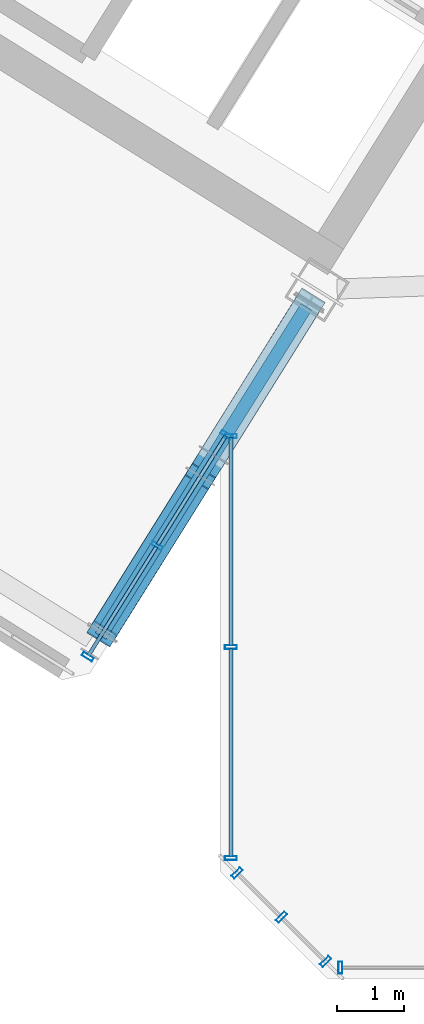
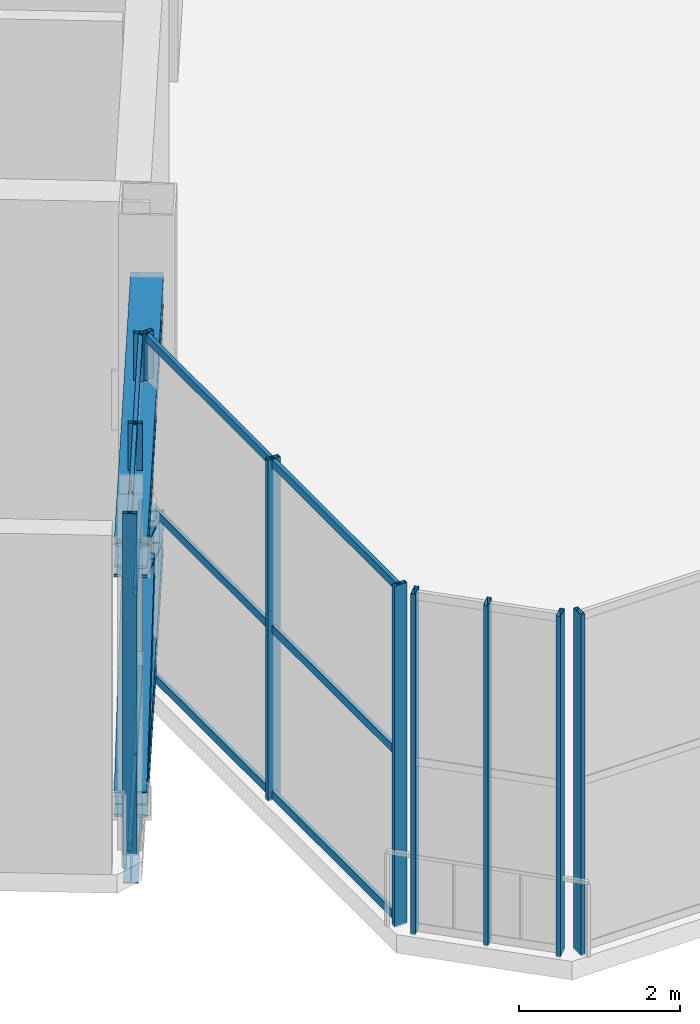
# One storey, part 6 of 32: 26 members, 1 beam, 4 elements without a shape of their own.
"""IFC4 building model written with IfcOpenShell, lengths in metres."""

from ifc_helpers import new_model, si_unit, direction, frame, origin, origin_2d, place, context, subcontext, project, spatial, hollow_rectangle, i_section, extrude, source, transform, mapped, material, material_profile, profile_set, type_object, element, aggregate, save


model = new_model("IFC4")

# Units and contexts
model_context = context("Model", 3, precision=1e-05, world=origin(), true_north=direction((0.0, 1.0)))
body_context = subcontext(model_context, "Body", "Model", "MODEL_VIEW")
ifc_project = project(units=[si_unit("LENGTHUNIT", "METRE"), si_unit("AREAUNIT", "SQUARE_METRE"), si_unit("VOLUMEUNIT", "CUBIC_METRE"), si_unit("PLANEANGLEUNIT", "RADIAN"), si_unit("MASSUNIT", "GRAM", prefix="KILO")], contexts=[model_context])

# Site, building, storey
site_placement = place(None, origin())
site = spatial("IfcSite", under=ifc_project, at=site_placement, CompositionType="ELEMENT")
building_placement = place(site_placement, origin())
building = spatial("IfcBuilding", under=site, at=building_placement, Name="Tlacorven Tower", CompositionType="ELEMENT")
storey_placement = place(building_placement, frame((0.0, 0.0, 245.699951171875)))
storey = spatial("IfcBuildingStorey", under=building, at=storey_placement, Name="L62", CompositionType="ELEMENT", Elevation=245.699951171875)

# Members
ifc_material_1 = material(Name="Steel S460M", Category="steel")
ifc_material_profile_1 = material_profile(ifc_material_1, i_section(OverallWidth=0.406005859375, OverallDepth=0.416015625, WebThickness=0.02099609375, FlangeThickness=0.032958984375, at=origin_2d()), Name="HD 400X382")
ifc_profile_set_1 = profile_set([ifc_material_profile_1], Name="Steel S460M")
member_type_1 = type_object("IfcMemberType", Name="MB-OUT-DIA", PredefinedType="BRACE", material=ifc_profile_set_1)
shared_shape_1 = source(origin(), body_context, "Body", "SweptSolid", [
    extrude(i_section(OverallWidth=0.406005859375, OverallDepth=0.416015625, WebThickness=0.02099609375, FlangeThickness=0.032958984375, at=origin_2d()), origin(), (0.0, 0.0, 1.0), 6.8564453125),
])
member_1_placement = place(storey_placement, frame((32.9375, 11.9130859375, 0.574951171875), z_axis=(-0.452468574589, -0.72408502906, 0.520550727309), x_axis=(0.848042816098, -0.529927713999, 0.0)))
element("IfcMember", 1, at=member_1_placement, inside=storey, type_object=member_type_1, Name="L62 Outrigger Truss Diagonal W1-1", PredefinedType="BRACE", context=body_context, shape_type="MappedRepresentation", body=[
    mapped(shared_shape_1, transform((0.0, 0.0, 0.0), scale=1.0)),
])
shared_shape_2 = source(origin(), body_context, "Body", "SweptSolid", [
    extrude(i_section(OverallWidth=0.406005859375, OverallDepth=0.416015625, WebThickness=0.02099609375, FlangeThickness=0.032958984375, at=origin_2d()), origin(), (0.0, 0.0, 1.0), 3.245849609375),
])
member_2_placement = place(storey_placement, frame((31.303955078125, 9.298583984375, 2.2255859375), z_axis=(-0.45250689492, -0.724041118766, -0.520578493972), x_axis=(0.848008202239, -0.5299831025, 0.0)))
element("IfcMember", 2, at=member_2_placement, inside=storey, type_object=member_type_1, Name="L62 Outrigger Truss Split Diagonal W1-2B", PredefinedType="BRACE", context=body_context, shape_type="MappedRepresentation", body=[
    mapped(shared_shape_2, transform((0.0, 0.0, 0.0), scale=1.0)),
])
ifc_material_profile_2 = material_profile(ifc_material_1, i_section(OverallWidth=0.412109375, OverallDepth=0.43505859375, WebThickness=0.02490234375, FlangeThickness=0.0400390625, at=origin_2d()), Name="HD 400X463")
ifc_profile_set_2 = profile_set([ifc_material_profile_2], Name="Steel S460M")
member_type_2 = type_object("IfcMemberType", Name="MB-OUT-CHD", PredefinedType="CHORD", material=ifc_profile_set_2)
shared_shape_3 = source(origin(), body_context, "Body", "SweptSolid", [
    extrude(i_section(OverallWidth=0.412109375, OverallDepth=0.43505859375, WebThickness=0.02490234375, FlangeThickness=0.0400390625, at=origin_2d()), origin(), (0.0, 0.0, 1.0), 5.794921875),
])
for number, where, z_axis, x_axis, name in (
    (3, (32.9189453125, 11.88330078125, 0.449951171875), (-0.529919410139, -0.848048004984, 0.0), (0.848048004984, -0.529919410139, 0.0), "L62 Outrigger Truss Chord W1-B"),
    (4, (32.9189453125, 11.88330078125, 4.22998046875), (-0.529919410139, -0.848048004984, 0.0), (0.848048004984, -0.529919410139, 0.0), "L62 Outrigger Truss Chord W1-T"),
):
    element("IfcMember", number, at=place(storey_placement, frame(where, z_axis=z_axis, x_axis=x_axis)), inside=storey, type_object=member_type_2, Name=name, PredefinedType="CHORD", context=body_context, shape_type="MappedRepresentation", body=[
        mapped(shared_shape_3, transform((0.0, 0.0, 0.0), scale=1.0)),
    ])

# Beam
ifc_material_2 = material(Name="Steel S355J2", Category="steel")
ifc_material_profile_3 = material_profile(ifc_material_2, i_section(OverallWidth=0.18994140625, OverallDepth=0.449951171875, WebThickness=0.009521484375, FlangeThickness=0.0146484375, at=origin_2d()), Name="IPE 450")
ifc_profile_set_3 = profile_set([ifc_material_profile_3], Name="Steel S355J2")
beam_type = type_object("IfcBeamType", Name="BM-TWR-450", PredefinedType="BEAM", material=ifc_profile_set_3)
shared_shape_4 = source(origin(), body_context, "Body", "SweptSolid", [
    extrude(i_section(OverallWidth=0.18994140625, OverallDepth=0.449951171875, WebThickness=0.009521484375, FlangeThickness=0.0146484375, at=origin_2d()), origin(), (0.0, 0.0, 1.0), 5.800048828125),
])
beam_placement = place(storey_placement, frame((32.88720703125, 11.83251953125, -0.5048828125), z_axis=(-0.529911912967, -0.848052689693, 0.0), x_axis=(0.848052689693, -0.529911912967, 0.0)))
element("IfcBeam", 5, at=beam_placement, inside=storey, type_object=beam_type, Name="L62 beam BM-L62-WT1-2", PredefinedType="BEAM", context=body_context, shape_type="MappedRepresentation", body=[
    mapped(shared_shape_4, transform((0.0, 0.0, 0.0), scale=1.0)),
])

# Curtain wall, members
ifc_material_3 = material(Name="Dark solar low-E double glazing in aluminium frame", Category="aluminium")
curtain_wall_type = type_object("IfcCurtainWallType", Name="CW-TWR-HIGH", PredefinedType="USERDEFINED", material=ifc_material_3)
curtain_wall_1_placement = place(storey_placement, origin())
curtain_wall_1 = element("IfcCurtainWall", 6, at=curtain_wall_1_placement, inside=storey, type_object=curtain_wall_type, Name="L62 CW-TWR-HIGH Curtain Wall 287", ObjectType="UNITISED CURTAIN WALL", PredefinedType="USERDEFINED")
ifc_material_4 = material(Name="Aluminium 6063-T6 anodised", Category="aluminium")
ifc_material_profile_4 = material_profile(ifc_material_4, hollow_rectangle(XDim=0.054931640625, YDim=0.1201171875, WallThickness=0.00341796875, at=origin_2d()), Name="ALU TRANSOM 55X120")
ifc_profile_set_4 = profile_set([ifc_material_profile_4], Name="Aluminium 6063-T6 anodised")
member_type_3 = type_object("IfcMemberType", Name="CWT-03", PredefinedType="USERDEFINED", material=ifc_profile_set_4)
shared_shape_5 = source(origin(), body_context, "Body", "SweptSolid", [
    extrude(hollow_rectangle(XDim=0.054931640625, YDim=0.1201171875, WallThickness=0.00341796875, at=origin_2d()), origin(), (0.0, 0.0, 1.0), 3.115234375),
])
member_3_placement = place(storey_placement, frame((31.760009765625, 3.6142578125, 0.06005859375), z_axis=(0.0, 1.0, 0.0), x_axis=(-1.0, 0.0, 0.0)))
member_3 = element("IfcMember", 7, at=member_3_placement, type_object=member_type_3, Name="CW-L62-287 Transom 1", ObjectType="TRANSOM", PredefinedType="USERDEFINED", context=body_context, shape_type="MappedRepresentation", body=[
    mapped(shared_shape_5, transform((0.0, 0.0, 0.0), scale=1.0)),
])
member_4_placement = place(storey_placement, frame((31.760009765625, 3.6142578125, 2.574951171875), z_axis=(0.0, 1.0, 0.0), x_axis=(-1.0, 0.0, 0.0)))
member_4 = element("IfcMember", 8, at=member_4_placement, type_object=member_type_3, Name="CW-L62-287 Transom 2", ObjectType="TRANSOM", PredefinedType="USERDEFINED", context=body_context, shape_type="MappedRepresentation", body=[
    mapped(shared_shape_5, transform((0.0, 0.0, 0.0), scale=1.0)),
])
member_5_placement = place(storey_placement, frame((31.760009765625, 3.6142578125, 5.090087890625), z_axis=(0.0, 1.0, 0.0), x_axis=(-1.0, 0.0, 0.0)))
member_5 = element("IfcMember", 9, at=member_5_placement, type_object=member_type_3, Name="CW-L62-287 Transom 3", ObjectType="TRANSOM", PredefinedType="USERDEFINED", context=body_context, shape_type="MappedRepresentation", body=[
    mapped(shared_shape_5, transform((0.0, 0.0, 0.0), scale=1.0)),
])
member_6_placement = place(storey_placement, frame((31.760009765625, 6.765380859375, 0.06005859375), z_axis=(0.0, 1.0, 0.0), x_axis=(-1.0, 0.0, 0.0)))
member_6 = element("IfcMember", 10, at=member_6_placement, type_object=member_type_3, Name="CW-L62-287 Transom 4", ObjectType="TRANSOM", PredefinedType="USERDEFINED", context=body_context, shape_type="MappedRepresentation", body=[
    mapped(shared_shape_5, transform((0.0, 0.0, 0.0), scale=1.0)),
])
member_7_placement = place(storey_placement, frame((31.760009765625, 6.765380859375, 2.574951171875), z_axis=(0.0, 1.0, 0.0), x_axis=(-1.0, 0.0, 0.0)))
member_7 = element("IfcMember", 11, at=member_7_placement, type_object=member_type_3, Name="CW-L62-287 Transom 5", ObjectType="TRANSOM", PredefinedType="USERDEFINED", context=body_context, shape_type="MappedRepresentation", body=[
    mapped(shared_shape_5, transform((0.0, 0.0, 0.0), scale=1.0)),
])
member_8_placement = place(storey_placement, frame((31.760009765625, 6.765380859375, 5.090087890625), z_axis=(0.0, 1.0, 0.0), x_axis=(-1.0, 0.0, 0.0)))
member_8 = element("IfcMember", 12, at=member_8_placement, type_object=member_type_3, Name="CW-L62-287 Transom 6", ObjectType="TRANSOM", PredefinedType="USERDEFINED", context=body_context, shape_type="MappedRepresentation", body=[
    mapped(shared_shape_5, transform((0.0, 0.0, 0.0), scale=1.0)),
])

curtain_wall_2_placement = place(storey_placement, origin())
curtain_wall_2 = element("IfcCurtainWall", 13, at=curtain_wall_2_placement, inside=storey, type_object=curtain_wall_type, Name="L62 CW-TWR-HIGH Curtain Wall 288", ObjectType="UNITISED CURTAIN WALL", PredefinedType="USERDEFINED")
shared_shape_6 = source(origin(), body_context, "Body", "SweptSolid", [
    extrude(hollow_rectangle(XDim=0.054931640625, YDim=0.1201171875, WallThickness=0.00341796875, at=origin_2d()), origin(), (0.0, 0.0, 1.0), 1.91748046875),
])
member_9_placement = place(storey_placement, frame((31.681640625, 9.903076171875, 0.06005859375), z_axis=(-0.529953157166, -0.84802691656, 0.0), x_axis=(0.84802691656, -0.529953157166, 0.0)))
member_9 = element("IfcMember", 14, at=member_9_placement, type_object=member_type_3, Name="CW-L62-288 Transom 1", ObjectType="TRANSOM", PredefinedType="USERDEFINED", context=body_context, shape_type="MappedRepresentation", body=[
    mapped(shared_shape_6, transform((0.0, 0.0, 0.0), scale=1.0)),
])
member_10_placement = place(storey_placement, frame((31.681640625, 9.903076171875, 2.574951171875), z_axis=(-0.529953157166, -0.84802691656, 0.0), x_axis=(0.84802691656, -0.529953157166, 0.0)))
member_10 = element("IfcMember", 15, at=member_10_placement, type_object=member_type_3, Name="CW-L62-288 Transom 2", ObjectType="TRANSOM", PredefinedType="USERDEFINED", context=body_context, shape_type="MappedRepresentation", body=[
    mapped(shared_shape_6, transform((0.0, 0.0, 0.0), scale=1.0)),
])
member_11_placement = place(storey_placement, frame((31.681640625, 9.903076171875, 5.090087890625), z_axis=(-0.529953157166, -0.84802691656, 0.0), x_axis=(0.84802691656, -0.529953157166, 0.0)))
member_11 = element("IfcMember", 16, at=member_11_placement, type_object=member_type_3, Name="CW-L62-288 Transom 3", ObjectType="TRANSOM", PredefinedType="USERDEFINED", context=body_context, shape_type="MappedRepresentation", body=[
    mapped(shared_shape_6, transform((0.0, 0.0, 0.0), scale=1.0)),
])
member_12_placement = place(storey_placement, frame((30.646484375, 8.24658203125, 0.06005859375), z_axis=(-0.529953157166, -0.84802691656, 0.0), x_axis=(0.84802691656, -0.529953157166, 0.0)))
member_12 = element("IfcMember", 17, at=member_12_placement, type_object=member_type_3, Name="CW-L62-288 Transom 4", ObjectType="TRANSOM", PredefinedType="USERDEFINED", context=body_context, shape_type="MappedRepresentation", body=[
    mapped(shared_shape_6, transform((0.0, 0.0, 0.0), scale=1.0)),
])
member_13_placement = place(storey_placement, frame((30.646484375, 8.24658203125, 2.574951171875), z_axis=(-0.529953157166, -0.84802691656, 0.0), x_axis=(0.84802691656, -0.529953157166, 0.0)))
member_13 = element("IfcMember", 18, at=member_13_placement, type_object=member_type_3, Name="CW-L62-288 Transom 5", ObjectType="TRANSOM", PredefinedType="USERDEFINED", context=body_context, shape_type="MappedRepresentation", body=[
    mapped(shared_shape_6, transform((0.0, 0.0, 0.0), scale=1.0)),
])
member_14_placement = place(storey_placement, frame((30.646484375, 8.24658203125, 5.090087890625), z_axis=(-0.529953157166, -0.84802691656, 0.0), x_axis=(0.84802691656, -0.529953157166, 0.0)))
member_14 = element("IfcMember", 19, at=member_14_placement, type_object=member_type_3, Name="CW-L62-288 Transom 6", ObjectType="TRANSOM", PredefinedType="USERDEFINED", context=body_context, shape_type="MappedRepresentation", body=[
    mapped(shared_shape_6, transform((0.0, 0.0, 0.0), scale=1.0)),
])

# Curtain wall, member
curtain_wall_3_placement = place(storey_placement, origin())
curtain_wall_3 = element("IfcCurtainWall", 20, at=curtain_wall_3_placement, inside=storey, type_object=curtain_wall_type, Name="L62 CW-TWR-HIGH Curtain Wall 285", ObjectType="UNITISED CURTAIN WALL", PredefinedType="USERDEFINED")
ifc_material_profile_5 = material_profile(ifc_material_4, hollow_rectangle(XDim=0.06005859375, YDim=0.179931640625, WallThickness=0.00390625, at=origin_2d()), Name="ALU MULLION 60X180")
ifc_profile_set_5 = profile_set([ifc_material_profile_5], Name="Aluminium 6063-T6 anodised")
member_type_4 = type_object("IfcMemberType", Name="CWM-03", PredefinedType="MULLION", material=ifc_profile_set_5)
shared_shape_7 = source(origin(), body_context, "Body", "SweptSolid", [
    extrude(hollow_rectangle(XDim=0.06005859375, YDim=0.179931640625, WallThickness=0.00390625, at=origin_2d()), origin(), (0.0, 0.0, 1.0), 5.18017578125),
])
member_15_placement = place(storey_placement, frame((33.396240234375, 1.9599609375, -0.02001953125), z_axis=(0.0, 0.0, 1.0), x_axis=(-1.0, 0.0, 0.0)))
member_15 = element("IfcMember", 21, at=member_15_placement, type_object=member_type_4, Name="CW-L62-285 Mullion 4", PredefinedType="MULLION", context=body_context, shape_type="MappedRepresentation", body=[
    mapped(shared_shape_7, transform((0.0, 0.0, 0.0), scale=1.0)),
])
aggregate(curtain_wall_3, [member_15])

# Curtain wall, members
curtain_wall_4_placement = place(storey_placement, origin())
curtain_wall_4 = element("IfcCurtainWall", 22, at=curtain_wall_4_placement, inside=storey, type_object=curtain_wall_type, Name="L62 CW-TWR-HIGH Curtain Wall 286", ObjectType="UNITISED CURTAIN WALL", PredefinedType="USERDEFINED")
member_16_placement = place(storey_placement, frame((33.17431640625, 2.052001953125, -0.02001953125), z_axis=(0.0, 0.0, 1.0), x_axis=(-0.707106781187, 0.707106781187, 0.0)))
member_16 = element("IfcMember", 23, at=member_16_placement, type_object=member_type_4, Name="CW-L62-286 Mullion 1", PredefinedType="MULLION", context=body_context, shape_type="MappedRepresentation", body=[
    mapped(shared_shape_7, transform((0.0, 0.0, 0.0), scale=1.0)),
])
member_17_placement = place(storey_placement, frame((32.51318359375, 2.713134765625, -0.02001953125), z_axis=(0.0, 0.0, 1.0), x_axis=(-0.707106781187, 0.707106781187, 0.0)))
member_17 = element("IfcMember", 24, at=member_17_placement, type_object=member_type_4, Name="CW-L62-286 Mullion 2", PredefinedType="MULLION", context=body_context, shape_type="MappedRepresentation", body=[
    mapped(shared_shape_7, transform((0.0, 0.0, 0.0), scale=1.0)),
])
member_18_placement = place(storey_placement, frame((31.851806640625, 3.374267578125, -0.02001953125), z_axis=(0.0, 0.0, 1.0), x_axis=(-0.707106781187, 0.707106781187, 0.0)))
member_18 = element("IfcMember", 25, at=member_18_placement, type_object=member_type_4, Name="CW-L62-286 Mullion 3", PredefinedType="MULLION", context=body_context, shape_type="MappedRepresentation", body=[
    mapped(shared_shape_7, transform((0.0, 0.0, 0.0), scale=1.0)),
])
aggregate(curtain_wall_4, [member_16, member_17, member_18])

# Member
member_19_placement = place(storey_placement, frame((31.760009765625, 3.59619140625, -0.02001953125), z_axis=(0.0, 0.0, 1.0), x_axis=(0.0, 1.0, 0.0)))
member_19 = element("IfcMember", 26, at=member_19_placement, type_object=member_type_4, Name="CW-L62-287 Mullion 1", PredefinedType="MULLION", context=body_context, shape_type="MappedRepresentation", body=[
    mapped(shared_shape_7, transform((0.0, 0.0, 0.0), scale=1.0)),
])

member_20_placement = place(storey_placement, frame((31.760009765625, 6.74755859375, -0.02001953125), z_axis=(0.0, 0.0, 1.0), x_axis=(0.0, 1.0, 0.0)))
member_20 = element("IfcMember", 27, at=member_20_placement, type_object=member_type_4, Name="CW-L62-287 Mullion 2", PredefinedType="MULLION", context=body_context, shape_type="MappedRepresentation", body=[
    mapped(shared_shape_7, transform((0.0, 0.0, 0.0), scale=1.0)),
])

member_21_placement = place(storey_placement, frame((31.760009765625, 9.898681640625, -0.02001953125), z_axis=(0.0, 0.0, 1.0), x_axis=(0.0, 1.0, 0.0)))
member_21 = element("IfcMember", 28, at=member_21_placement, type_object=member_type_4, Name="CW-L62-287 Mullion 3", PredefinedType="MULLION", context=body_context, shape_type="MappedRepresentation", body=[
    mapped(shared_shape_7, transform((0.0, 0.0, 0.0), scale=1.0)),
])

aggregate(curtain_wall_1, [member_19, member_20, member_21, member_3, member_4, member_5, member_6, member_7, member_8])

member_22_placement = place(storey_placement, frame((31.691162109375, 9.91845703125, -0.02001953125), z_axis=(0.0, 0.0, 1.0), x_axis=(-0.529918710919, -0.848048441905, 0.0)))
member_22 = element("IfcMember", 29, at=member_22_placement, type_object=member_type_4, Name="CW-L62-288 Mullion 1", PredefinedType="MULLION", context=body_context, shape_type="MappedRepresentation", body=[
    mapped(shared_shape_7, transform((0.0, 0.0, 0.0), scale=1.0)),
])

member_23_placement = place(storey_placement, frame((30.656005859375, 8.261962890625, -0.02001953125), z_axis=(0.0, 0.0, 1.0), x_axis=(-0.529918710919, -0.848048441905, 0.0)))
member_23 = element("IfcMember", 30, at=member_23_placement, type_object=member_type_4, Name="CW-L62-288 Mullion 2", PredefinedType="MULLION", context=body_context, shape_type="MappedRepresentation", body=[
    mapped(shared_shape_7, transform((0.0, 0.0, 0.0), scale=1.0)),
])

member_24_placement = place(storey_placement, frame((29.620849609375, 6.605224609375, -0.02001953125), z_axis=(0.0, 0.0, 1.0), x_axis=(-0.529918710919, -0.848048441905, 0.0)))
member_24 = element("IfcMember", 31, at=member_24_placement, type_object=member_type_4, Name="CW-L62-288 Mullion 3", PredefinedType="MULLION", context=body_context, shape_type="MappedRepresentation", body=[
    mapped(shared_shape_7, transform((0.0, 0.0, 0.0), scale=1.0)),
])

aggregate(curtain_wall_2, [member_22, member_23, member_24, member_9, member_10, member_11, member_12, member_13, member_14])

save(model, "model.ifc")
